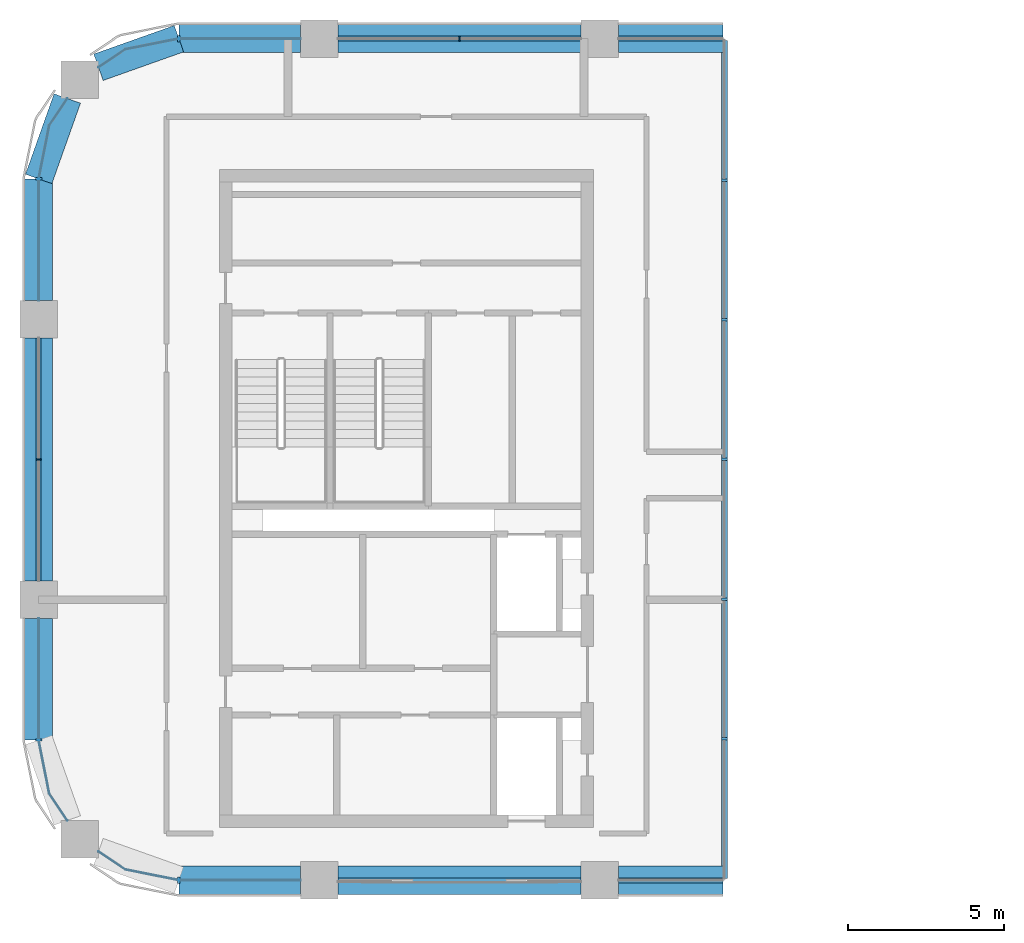
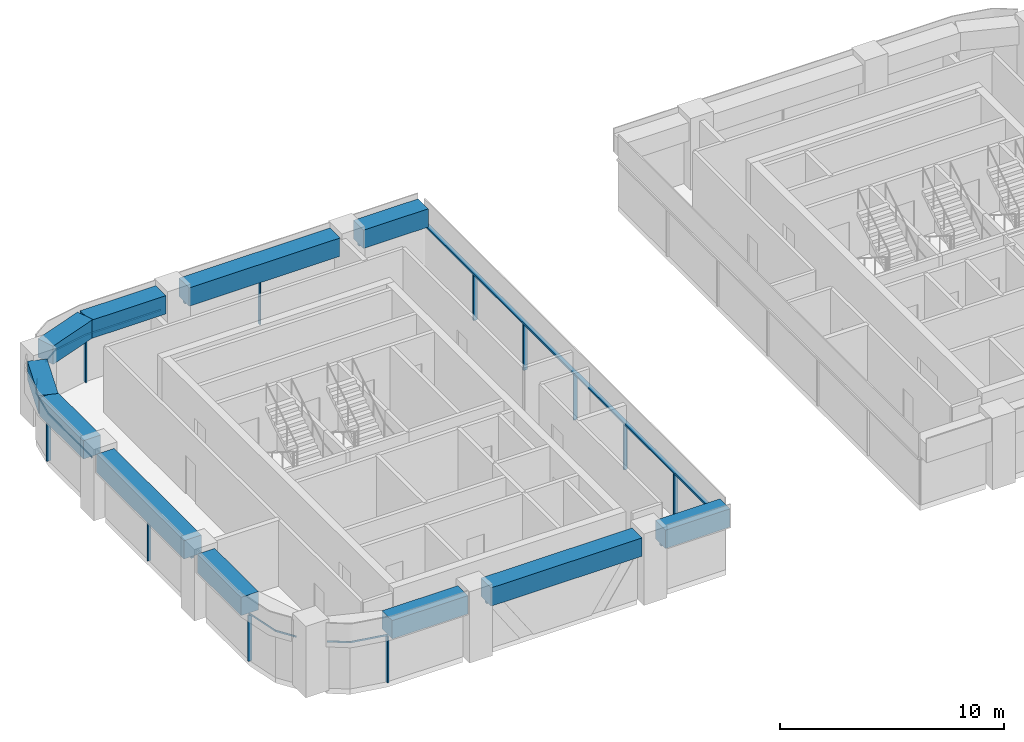
# One storey, part 2 of 11: 21 members, 11 beams, 10 elements without a shape of their own.
"""IFC4 building model written with IfcOpenShell, lengths in metres."""

from ifc_helpers import new_model, si_unit, direction, frame, origin, origin_2d, place, context, subcontext, project, spatial, polyline, rectangle, outline, extrude, material, material_profile, profile_set, type_object, element, aggregate, save


model = new_model("IFC4")

# Units and contexts
model_context = context("Model", 3, precision=1e-05, world=origin(), true_north=direction((0.0, 1.0)))
body_context = subcontext(model_context, "Body", "Model", "MODEL_VIEW")
ifc_project = project(units=[si_unit("LENGTHUNIT", "METRE"), si_unit("AREAUNIT", "SQUARE_METRE"), si_unit("VOLUMEUNIT", "CUBIC_METRE"), si_unit("PLANEANGLEUNIT", "RADIAN"), si_unit("MASSUNIT", "GRAM", prefix="KILO")], contexts=[model_context])

# Site, building, storey
site_placement = place(None, origin())
site = spatial("IfcSite", under=ifc_project, at=site_placement, CompositionType="ELEMENT")
building_placement = place(site_placement, origin())
building = spatial("IfcBuilding", under=site, at=building_placement, Name="Tessera Arch", CompositionType="ELEMENT")
storey_placement = place(building_placement, frame((0.0, 0.0, 211.10009765625)))
storey = spatial("IfcBuildingStorey", under=building, at=storey_placement, Name="L50", CompositionType="ELEMENT", Elevation=211.10009765625)

# Curtain wall, member
ifc_material_1 = material(Name="CW1 curtain wall")
curtain_wall_type_1 = type_object("IfcCurtainWallType", Name="CW1 curtain wall", PredefinedType="NOTDEFINED", material=ifc_material_1)
curtain_wall_1_placement = place(storey_placement, origin())
curtain_wall_1 = element("IfcCurtainWall", 1, at=curtain_wall_1_placement, inside=storey, type_object=curtain_wall_type_1, Name="CW1 curtain wall N54.0/1 L50", PredefinedType="NOTDEFINED")
ifc_material_2 = material(Name="Anodised aluminium pale metal", Category="aluminium")
ifc_material_profile_1 = material_profile(ifc_material_2, rectangle(XDim=0.159912109375, YDim=0.06005859375, at=origin_2d()), Name="AL 60x160")
ifc_profile_set_1 = profile_set([ifc_material_profile_1], Name="Anodised aluminium pale metal")
member_type_1 = type_object("IfcMemberType", Name="CW1 mullion", PredefinedType="MULLION", material=ifc_profile_set_1)
member_1_placement = place(storey_placement, frame((13.5, 54.0, 0.0), z_axis=(0.0, 0.0, 1.0), x_axis=(0.0, -1.0, 0.0)))
member_1 = element("IfcMember", 2, at=member_1_placement, type_object=member_type_1, Name="CW1 mullion N54.0/1 1", PredefinedType="MULLION", context=body_context, shape_type="SweptSolid", body=[
    extrude(rectangle(XDim=0.159912109375, YDim=0.06005859375, at=origin_2d()), origin(), (0.0, 0.0, 1.0), 2.5),
])

curtain_wall_2_placement = place(storey_placement, origin())
curtain_wall_2 = element("IfcCurtainWall", 3, at=curtain_wall_2_placement, inside=storey, type_object=curtain_wall_type_1, Name="CW1 curtain wall W0.27/1 L50", PredefinedType="NOTDEFINED")
member_2_placement = place(storey_placement, frame((0.0, 40.5, 0.0), z_axis=(0.0, 0.0, 1.0), x_axis=(1.0, 0.0, 0.0)))
member_2 = element("IfcMember", 4, at=member_2_placement, type_object=member_type_1, Name="CW1 mullion W0.27/1 1", PredefinedType="MULLION", context=body_context, shape_type="SweptSolid", body=[
    extrude(rectangle(XDim=0.159912109375, YDim=0.06005859375, at=origin_2d()), origin(), (0.0, 0.0, 1.0), 2.5),
])

curtain_wall_3_placement = place(storey_placement, origin())
curtain_wall_3 = element("IfcCurtainWall", 5, at=curtain_wall_3_placement, inside=storey, type_object=curtain_wall_type_1, Name="CW1 curtain wall S27.0/1 L50", PredefinedType="NOTDEFINED")
ifc_material_3 = material(Name="Anodised aluminium pale metal", Category="aluminium")
ifc_material_profile_2 = material_profile(ifc_material_3, rectangle(XDim=0.159912109375, YDim=0.10009765625, at=origin_2d()), Name="AL 160x100")
ifc_profile_set_2 = profile_set([ifc_material_profile_2], Name="Anodised aluminium pale metal")
member_type_2 = type_object("IfcMemberType", Name="CW1 transom", PredefinedType="USERDEFINED", material=ifc_profile_set_2)
member_3_placement = place(storey_placement, frame((18.60009765625, 27.0, 2.5498046875), z_axis=(1.0, 0.0, 0.0), x_axis=(0.0, 1.0, 0.0)))
member_3 = element("IfcMember", 6, at=member_3_placement, type_object=member_type_2, Name="CW1 transom S27.0/1 1.1", ObjectType="TRANSOM", PredefinedType="USERDEFINED", context=body_context, shape_type="SweptSolid", body=[
    extrude(rectangle(XDim=0.159912109375, YDim=0.10009765625, at=origin_2d()), origin(), (0.0, 0.0, 1.0), 3.349853515625),
])
aggregate(curtain_wall_3, [member_3])

curtain_wall_4_placement = place(storey_placement, origin())
curtain_wall_4 = element("IfcCurtainWall", 7, at=curtain_wall_4_placement, inside=storey, type_object=curtain_wall_type_1, Name="CW1 curtain wall N54.0/0 L50", PredefinedType="NOTDEFINED")
member_4_placement = place(storey_placement, frame((21.949951171875, 54.0, 2.5498046875), z_axis=(-1.0, 0.0, 0.0), x_axis=(0.0, -1.0, 0.0)))
member_4 = element("IfcMember", 8, at=member_4_placement, type_object=member_type_2, Name="CW1 transom N54.0/0 1.1", ObjectType="TRANSOM", PredefinedType="USERDEFINED", context=body_context, shape_type="SweptSolid", body=[
    extrude(rectangle(XDim=0.159912109375, YDim=0.10009765625, at=origin_2d()), origin(), (0.0, 0.0, 1.0), 3.349853515625),
])
aggregate(curtain_wall_4, [member_4])

# Member
member_5_placement = place(storey_placement, frame((17.39990234375, 54.0, 2.5498046875), z_axis=(-1.0, 0.0, 0.0), x_axis=(0.0, -1.0, 0.0)))
member_5 = element("IfcMember", 9, at=member_5_placement, type_object=member_type_2, Name="CW1 transom N54.0/1 1.1", ObjectType="TRANSOM", PredefinedType="USERDEFINED", context=body_context, shape_type="SweptSolid", body=[
    extrude(rectangle(XDim=0.159912109375, YDim=0.10009765625, at=origin_2d()), origin(), (0.0, 0.0, 1.0), 7.7998046875),
])

aggregate(curtain_wall_1, [member_1, member_5])

member_6_placement = place(storey_placement, frame((0.0, 44.39990234375, 2.5498046875), z_axis=(0.0, -1.0, 0.0), x_axis=(1.0, 0.0, 0.0)))
member_6 = element("IfcMember", 10, at=member_6_placement, type_object=member_type_2, Name="CW1 transom W0.27/1 1.1", ObjectType="TRANSOM", PredefinedType="USERDEFINED", context=body_context, shape_type="SweptSolid", body=[
    extrude(rectangle(XDim=0.159912109375, YDim=0.10009765625, at=origin_2d()), origin(), (0.0, 0.0, 1.0), 7.7998046875),
])

aggregate(curtain_wall_2, [member_2, member_6])

# Curtain wall, member
ifc_material_4 = material(Name="CW2 curtain wall")
curtain_wall_type_2 = type_object("IfcCurtainWallType", Name="CW2 curtain wall", PredefinedType="NOTDEFINED", material=ifc_material_4)
curtain_wall_5_placement = place(storey_placement, origin())
curtain_wall_5 = element("IfcCurtainWall", 11, at=curtain_wall_5_placement, inside=storey, type_object=curtain_wall_type_2, Name="CW2 curtain wall N54.0/2 L50", PredefinedType="NOTDEFINED")
ifc_material_5 = material(Name="Anodised aluminium pale metal", Category="aluminium")
ifc_material_profile_3 = material_profile(ifc_material_5, rectangle(XDim=0.199951171875, YDim=0.080078125, at=origin_2d()), Name="AL 80x200")
ifc_profile_set_3 = profile_set([ifc_material_profile_3], Name="Anodised aluminium pale metal")
member_type_3 = type_object("IfcMemberType", Name="CW2 mullion", PredefinedType="MULLION", material=ifc_profile_set_3)
member_7_placement = place(storey_placement, frame((4.5, 54.0, 0.0), z_axis=(0.0, 0.0, 1.0), x_axis=(0.0, -1.0, 0.0)))
member_7 = element("IfcMember", 12, at=member_7_placement, type_object=member_type_3, Name="CW2 mullion N54.0/2 1", PredefinedType="MULLION", context=body_context, shape_type="SweptSolid", body=[
    extrude(rectangle(XDim=0.199951171875, YDim=0.080078125, at=origin_2d()), origin(), (0.0, 0.0, 1.0), 2.5),
])

curtain_wall_6_placement = place(storey_placement, origin())
curtain_wall_6 = element("IfcCurtainWall", 13, at=curtain_wall_6_placement, inside=storey, type_object=curtain_wall_type_2, Name="CW2 curtain wall W0.27/0 L50", PredefinedType="NOTDEFINED")
member_8_placement = place(storey_placement, frame((0.0, 49.5, 0.0), z_axis=(0.0, 0.0, 1.0), x_axis=(1.0, 0.0, 0.0)))
member_8 = element("IfcMember", 14, at=member_8_placement, type_object=member_type_3, Name="CW2 mullion W0.27/0 1", PredefinedType="MULLION", context=body_context, shape_type="SweptSolid", body=[
    extrude(rectangle(XDim=0.199951171875, YDim=0.080078125, at=origin_2d()), origin(), (0.0, 0.0, 1.0), 2.5),
])

curtain_wall_7_placement = place(storey_placement, origin())
curtain_wall_7 = element("IfcCurtainWall", 15, at=curtain_wall_7_placement, inside=storey, type_object=curtain_wall_type_2, Name="CW2 curtain wall W0.27/2 L50", PredefinedType="NOTDEFINED")
member_9_placement = place(storey_placement, frame((0.0, 31.5, 0.0), z_axis=(0.0, 0.0, 1.0), x_axis=(1.0, 0.0, 0.0)))
member_9 = element("IfcMember", 16, at=member_9_placement, type_object=member_type_3, Name="CW2 mullion W0.27/2 1", PredefinedType="MULLION", context=body_context, shape_type="SweptSolid", body=[
    extrude(rectangle(XDim=0.199951171875, YDim=0.080078125, at=origin_2d()), origin(), (0.0, 0.0, 1.0), 2.5),
])

curtain_wall_8_placement = place(storey_placement, origin())
curtain_wall_8 = element("IfcCurtainWall", 17, at=curtain_wall_8_placement, inside=storey, type_object=curtain_wall_type_2, Name="CW2 curtain wall S27.0/2 L50", PredefinedType="NOTDEFINED")
member_10_placement = place(storey_placement, frame((4.5, 27.0, 0.0), z_axis=(0.0, 0.0, 1.0), x_axis=(0.0, 1.0, 0.0)))
member_10 = element("IfcMember", 18, at=member_10_placement, type_object=member_type_3, Name="CW2 mullion S27.0/2 1", PredefinedType="MULLION", context=body_context, shape_type="SweptSolid", body=[
    extrude(rectangle(XDim=0.199951171875, YDim=0.080078125, at=origin_2d()), origin(), (0.0, 0.0, 1.0), 2.5),
])

# Member
ifc_material_6 = material(Name="Anodised aluminium pale metal", Category="aluminium")
ifc_material_profile_4 = material_profile(ifc_material_6, rectangle(XDim=0.199951171875, YDim=0.10009765625, at=origin_2d()), Name="AL 200x100")
ifc_profile_set_4 = profile_set([ifc_material_profile_4], Name="Anodised aluminium pale metal")
member_type_4 = type_object("IfcMemberType", Name="CW2 transom", PredefinedType="USERDEFINED", material=ifc_profile_set_4)
member_11_placement = place(storey_placement, frame((0.0, 0.0, 2.5)))
member_11 = element("IfcMember", 19, at=member_11_placement, type_object=member_type_4, Name="CW2 transom N54.0/2 1", ObjectType="TRANSOM", PredefinedType="USERDEFINED", context=body_context, shape_type="SweptSolid", body=[
    extrude(outline(polyline([(4.5009765625, 53.989990234375), (8.39990234375, 53.989990234375), (8.39990234375, 54.010009765625), (4.4990234375, 54.010009765625), (2.77392578125, 53.6669921875), (1.912353515625, 53.09130859375), (1.923583984375, 53.07470703125), (2.78173828125, 53.648193359375), (4.5009765625, 53.989990234375)])), origin(), (0.0, 0.0, 1.0), 0.099853515625),
])

aggregate(curtain_wall_5, [member_7, member_11])

member_12_placement = place(storey_placement, frame((0.0, 0.0, 2.5)))
member_12 = element("IfcMember", 20, at=member_12_placement, type_object=member_type_4, Name="CW2 transom W0.27/0 1", ObjectType="TRANSOM", PredefinedType="USERDEFINED", context=body_context, shape_type="SweptSolid", body=[
    extrude(outline(polyline([(0.351806640625, 51.21826171875), (0.92529296875, 52.076416015625), (0.90869140625, 52.087646484375), (0.3330078125, 51.22607421875), (-0.010009765625, 49.5009765625), (-0.010009765625, 45.60009765625), (0.010009765625, 45.60009765625), (0.010009765625, 49.4990234375), (0.351806640625, 51.21826171875)])), origin(), (0.0, 0.0, 1.0), 0.099853515625),
])

aggregate(curtain_wall_6, [member_8, member_12])

member_13_placement = place(storey_placement, frame((0.0, 0.0, 2.5)))
member_13 = element("IfcMember", 21, at=member_13_placement, type_object=member_type_4, Name="CW2 transom W0.27/2 1", ObjectType="TRANSOM", PredefinedType="USERDEFINED", context=body_context, shape_type="SweptSolid", body=[
    extrude(outline(polyline([(0.010009765625, 31.5009765625), (0.010009765625, 35.39990234375), (-0.010009765625, 35.39990234375), (-0.010009765625, 31.4990234375), (0.3330078125, 29.77392578125), (0.90869140625, 28.912353515625), (0.92529296875, 28.923583984375), (0.351806640625, 29.78173828125), (0.010009765625, 31.5009765625)])), origin(), (0.0, 0.0, 1.0), 0.099853515625),
])

aggregate(curtain_wall_7, [member_9, member_13])

member_14_placement = place(storey_placement, frame((0.0, 0.0, 2.5)))
member_14 = element("IfcMember", 22, at=member_14_placement, type_object=member_type_4, Name="CW2 transom S27.0/2 1", ObjectType="TRANSOM", PredefinedType="USERDEFINED", context=body_context, shape_type="SweptSolid", body=[
    extrude(outline(polyline([(2.78173828125, 27.351806640625), (1.923583984375, 27.92529296875), (1.912353515625, 27.90869140625), (2.77392578125, 27.3330078125), (4.4990234375, 26.989990234375), (8.39990234375, 26.989990234375), (8.39990234375, 27.010009765625), (4.5009765625, 27.010009765625), (2.78173828125, 27.351806640625)])), origin(), (0.0, 0.0, 1.0), 0.099853515625),
])

aggregate(curtain_wall_8, [member_10, member_14])

# Curtain wall, member
ifc_material_7 = material(Name="CW3 curtain wall")
curtain_wall_type_3 = type_object("IfcCurtainWallType", Name="CW3 curtain wall", PredefinedType="NOTDEFINED", material=ifc_material_7)
curtain_wall_9_placement = place(storey_placement, origin())
curtain_wall_9 = element("IfcCurtainWall", 23, at=curtain_wall_9_placement, inside=storey, type_object=curtain_wall_type_3, Name="CW3 curtain wall S27.0/0 L50", PredefinedType="NOTDEFINED")
ifc_material_8 = material(Name="Anodised aluminium pale metal", Category="aluminium")
ifc_material_profile_5 = material_profile(ifc_material_8, rectangle(XDim=0.139892578125, YDim=0.10009765625, at=origin_2d()), Name="AL 140x100")
ifc_profile_set_5 = profile_set([ifc_material_profile_5], Name="Anodised aluminium pale metal")
member_type_5 = type_object("IfcMemberType", Name="CW3 transom", PredefinedType="USERDEFINED", material=ifc_profile_set_5)
member_15_placement = place(storey_placement, frame((9.60009765625, 27.0, 2.5498046875), z_axis=(1.0, 0.0, 0.0), x_axis=(0.0, 1.0, 0.0)))
member_15 = element("IfcMember", 24, at=member_15_placement, type_object=member_type_5, Name="CW3 transom S27.0/0 1.1", ObjectType="TRANSOM", PredefinedType="USERDEFINED", context=body_context, shape_type="SweptSolid", body=[
    extrude(rectangle(XDim=0.139892578125, YDim=0.10009765625, at=origin_2d()), origin(), (0.0, 0.0, 1.0), 7.7998046875),
])
aggregate(curtain_wall_9, [member_15])

# Curtain wall, members
ifc_material_9 = material(Name="CW5 curtain wall")
curtain_wall_type_4 = type_object("IfcCurtainWallType", Name="CW5 curtain wall", PredefinedType="NOTDEFINED", material=ifc_material_9)
curtain_wall_10_placement = place(storey_placement, origin())
curtain_wall_10 = element("IfcCurtainWall", 25, at=curtain_wall_10_placement, inside=storey, type_object=curtain_wall_type_4, Name="CW5 curtain wall E22.27/0 L50", PredefinedType="NOTDEFINED")
ifc_material_10 = material(Name="Anodised aluminium pale metal", Category="aluminium")
ifc_material_profile_6 = material_profile(ifc_material_10, rectangle(XDim=0.199951171875, YDim=0.080078125, at=origin_2d()), Name="AL 80x200")
ifc_profile_set_6 = profile_set([ifc_material_profile_6], Name="Anodised aluminium pale metal")
member_type_6 = type_object("IfcMemberType", Name="CW5 mullion", PredefinedType="MULLION", material=ifc_profile_set_6)
member_16_placement = place(storey_placement, frame((22.0, 31.533447265625, 0.0), z_axis=(0.0, 0.0, 1.0), x_axis=(-1.0, 0.0, 0.0)))
member_16 = element("IfcMember", 26, at=member_16_placement, type_object=member_type_6, Name="CW5 mullion E22.27/0 1", PredefinedType="MULLION", context=body_context, shape_type="SweptSolid", body=[
    extrude(rectangle(XDim=0.199951171875, YDim=0.080078125, at=origin_2d()), origin(), (0.0, 0.0, 1.0), 2.5),
])
member_17_placement = place(storey_placement, frame((22.0, 36.0166015625, 0.0), z_axis=(0.0, 0.0, 1.0), x_axis=(-1.0, 0.0, 0.0)))
member_17 = element("IfcMember", 27, at=member_17_placement, type_object=member_type_6, Name="CW5 mullion E22.27/0 2", PredefinedType="MULLION", context=body_context, shape_type="SweptSolid", body=[
    extrude(rectangle(XDim=0.199951171875, YDim=0.080078125, at=origin_2d()), origin(), (0.0, 0.0, 1.0), 2.5),
])
member_18_placement = place(storey_placement, frame((22.0, 40.5, 0.0), z_axis=(0.0, 0.0, 1.0), x_axis=(-1.0, 0.0, 0.0)))
member_18 = element("IfcMember", 28, at=member_18_placement, type_object=member_type_6, Name="CW5 mullion E22.27/0 3", PredefinedType="MULLION", context=body_context, shape_type="SweptSolid", body=[
    extrude(rectangle(XDim=0.199951171875, YDim=0.080078125, at=origin_2d()), origin(), (0.0, 0.0, 1.0), 2.5),
])
member_19_placement = place(storey_placement, frame((22.0, 44.9833984375, 0.0), z_axis=(0.0, 0.0, 1.0), x_axis=(-1.0, 0.0, 0.0)))
member_19 = element("IfcMember", 29, at=member_19_placement, type_object=member_type_6, Name="CW5 mullion E22.27/0 4", PredefinedType="MULLION", context=body_context, shape_type="SweptSolid", body=[
    extrude(rectangle(XDim=0.199951171875, YDim=0.080078125, at=origin_2d()), origin(), (0.0, 0.0, 1.0), 2.5),
])
member_20_placement = place(storey_placement, frame((22.0, 49.466552734375, 0.0), z_axis=(0.0, 0.0, 1.0), x_axis=(-1.0, 0.0, 0.0)))
member_20 = element("IfcMember", 30, at=member_20_placement, type_object=member_type_6, Name="CW5 mullion E22.27/0 5", PredefinedType="MULLION", context=body_context, shape_type="SweptSolid", body=[
    extrude(rectangle(XDim=0.199951171875, YDim=0.080078125, at=origin_2d()), origin(), (0.0, 0.0, 1.0), 2.5),
])
ifc_material_11 = material(Name="Anodised aluminium pale metal", Category="aluminium")
ifc_material_profile_7 = material_profile(ifc_material_11, rectangle(XDim=0.199951171875, YDim=0.10009765625, at=origin_2d()), Name="AL 200x100")
ifc_profile_set_7 = profile_set([ifc_material_profile_7], Name="Anodised aluminium pale metal")
member_type_7 = type_object("IfcMemberType", Name="CW5 transom", PredefinedType="USERDEFINED", material=ifc_profile_set_7)
member_21_placement = place(storey_placement, frame((22.0, 27.050048828125, 2.5498046875), z_axis=(0.0, 1.0, 0.0), x_axis=(-1.0, 0.0, 0.0)))
member_21 = element("IfcMember", 31, at=member_21_placement, type_object=member_type_7, Name="CW5 transom E22.27/0 1.1", ObjectType="TRANSOM", PredefinedType="USERDEFINED", context=body_context, shape_type="SweptSolid", body=[
    extrude(rectangle(XDim=0.199951171875, YDim=0.10009765625, at=origin_2d()), origin(), (0.0, 0.0, 1.0), 26.89990234375),
])
aggregate(curtain_wall_10, [member_16, member_17, member_18, member_19, member_20, member_21])

# Beams
ifc_material_12 = material(Name="Concrete C60/75", Category="concrete")
ifc_material_profile_8 = material_profile(ifc_material_12, rectangle(XDim=0.89990234375, YDim=1.0, at=origin_2d()), Name="RC spandrel beam 900 x 1000 Concrete C60/75")
ifc_profile_set_8 = profile_set([ifc_material_profile_8], Name="Concrete C60/75")
beam_type = type_object("IfcBeamType", Name="RC spandrel beam 900 x 1000 Concrete C60/75", PredefinedType="BEAM", material=ifc_profile_set_8)
beam_1_placement = place(storey_placement, frame((9.60009765625, 27.0, 3.099853515625), z_axis=(1.0, 0.0, 0.0), x_axis=(0.0, 1.0, 0.0)))
element("IfcBeam", 32, at=beam_1_placement, inside=storey, type_object=beam_type, Name="Spandrel beam L50 S27.0/0", PredefinedType="BEAM", context=body_context, shape_type="SweptSolid", body=[
    extrude(rectangle(XDim=0.89990234375, YDim=1.0, at=origin_2d()), origin(), (0.0, 0.0, 1.0), 7.7998046875),
])
for number, where, z_axis, x_axis, name in (
    (33, (18.60009765625, 27.0, 3.099853515625), (1.0, 0.0, 0.0), (0.0, 1.0, 0.0), "Spandrel beam L50 S27.0/1"),
    (34, (21.949951171875, 54.0, 3.099853515625), (-1.0, 0.0, 0.0), (0.0, -1.0, 0.0), "Spandrel beam L50 N54.0/0"),
):
    element("IfcBeam", number, at=place(storey_placement, frame(where, z_axis=z_axis, x_axis=x_axis)), inside=storey, type_object=beam_type, Name=name, PredefinedType="BEAM", context=body_context, shape_type="SweptSolid", body=[
        extrude(rectangle(XDim=0.89990234375, YDim=1.0, at=origin_2d()), origin(), (0.0, 0.0, 1.0), 3.349853515625),
    ])
beam_2_placement = place(storey_placement, frame((17.39990234375, 54.0, 3.099853515625), z_axis=(-1.0, 0.0, 0.0), x_axis=(0.0, -1.0, 0.0)))
element("IfcBeam", 35, at=beam_2_placement, inside=storey, type_object=beam_type, Name="Spandrel beam L50 N54.0/1", PredefinedType="BEAM", context=body_context, shape_type="SweptSolid", body=[
    extrude(rectangle(XDim=0.89990234375, YDim=1.0, at=origin_2d()), origin(), (0.0, 0.0, 1.0), 7.7998046875),
])
beam_3_placement = place(storey_placement, frame((8.39990234375, 54.0, 3.099853515625), z_axis=(-1.0, 0.0, 0.0), x_axis=(0.0, -1.0, 0.0)))
element("IfcBeam", 36, at=beam_3_placement, inside=storey, type_object=beam_type, Name="Spandrel beam L50 N54.0/2.1", PredefinedType="BEAM", context=body_context, shape_type="SweptSolid", body=[
    extrude(rectangle(XDim=0.89990234375, YDim=1.0, at=origin_2d()), origin(), (0.0, 0.0, 1.0), 3.89990234375),
])
for number, where, z_axis, x_axis, name in (
    (37, (4.5, 54.0, 3.099853515625), (-0.942337127159, -0.334665114373, 0.0), (0.334665114373, -0.942337127159, 0.0), "Spandrel beam L50 N54.0/2.2"),
    (38, (0.9169921875, 52.08203125, 3.099853515625), (-0.334665114373, -0.942337127159, 0.0), (0.942337127159, -0.334665114373, 0.0), "Spandrel beam L50 W0.27/0.1"),
):
    element("IfcBeam", number, at=place(storey_placement, frame(where, z_axis=z_axis, x_axis=x_axis)), inside=storey, type_object=beam_type, Name=name, PredefinedType="BEAM", context=body_context, shape_type="SweptSolid", body=[
        extrude(rectangle(XDim=0.89990234375, YDim=1.0, at=origin_2d()), origin(), (0.0, 0.0, 1.0), 2.739990234375),
    ])
beam_4_placement = place(storey_placement, frame((0.0, 49.5, 3.099853515625), z_axis=(0.0, -1.0, 0.0), x_axis=(1.0, 0.0, 0.0)))
element("IfcBeam", 39, at=beam_4_placement, inside=storey, type_object=beam_type, Name="Spandrel beam L50 W0.27/0.2", PredefinedType="BEAM", context=body_context, shape_type="SweptSolid", body=[
    extrude(rectangle(XDim=0.89990234375, YDim=1.0, at=origin_2d()), origin(), (0.0, 0.0, 1.0), 3.89990234375),
])
beam_5_placement = place(storey_placement, frame((0.0, 44.39990234375, 3.099853515625), z_axis=(0.0, -1.0, 0.0), x_axis=(1.0, 0.0, 0.0)))
element("IfcBeam", 40, at=beam_5_placement, inside=storey, type_object=beam_type, Name="Spandrel beam L50 W0.27/1", PredefinedType="BEAM", context=body_context, shape_type="SweptSolid", body=[
    extrude(rectangle(XDim=0.89990234375, YDim=1.0, at=origin_2d()), origin(), (0.0, 0.0, 1.0), 7.7998046875),
])
for number, where, z_axis, x_axis, name in (
    (41, (0.0, 35.39990234375, 3.099853515625), (0.0, -1.0, 0.0), (1.0, 0.0, 0.0), "Spandrel beam L50 W0.27/2.1"),
    (42, (4.5, 27.0, 3.099853515625), (1.0, 0.0, 0.0), (0.0, 1.0, 0.0), "Spandrel beam L50 S27.0/2.2"),
):
    element("IfcBeam", number, at=place(storey_placement, frame(where, z_axis=z_axis, x_axis=x_axis)), inside=storey, type_object=beam_type, Name=name, PredefinedType="BEAM", context=body_context, shape_type="SweptSolid", body=[
        extrude(rectangle(XDim=0.89990234375, YDim=1.0, at=origin_2d()), origin(), (0.0, 0.0, 1.0), 3.89990234375),
    ])

save(model, "model.ifc")
